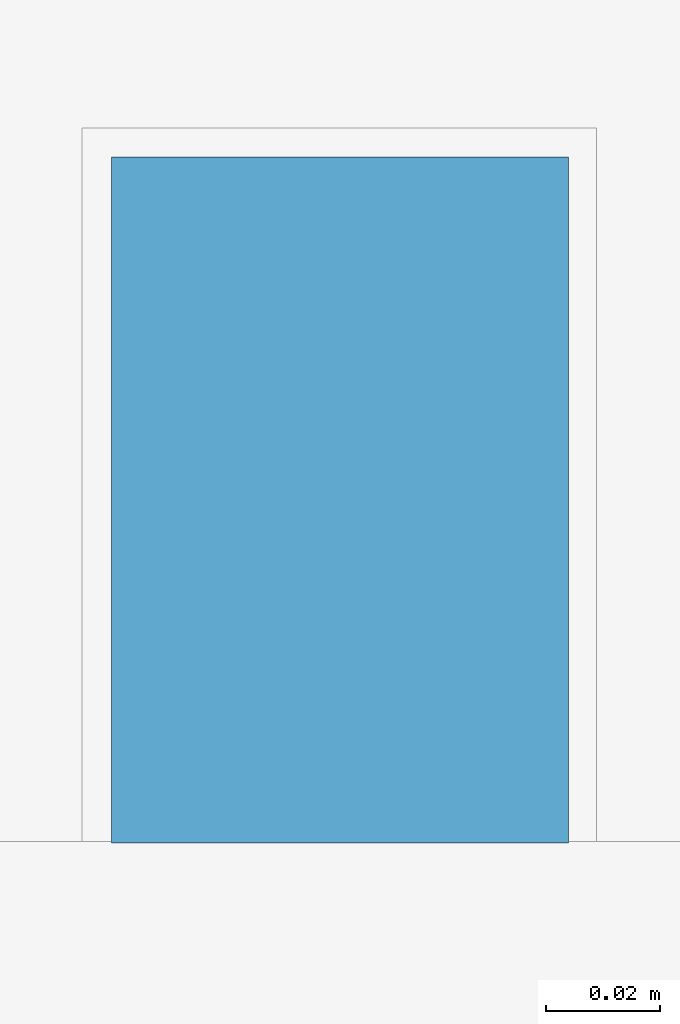
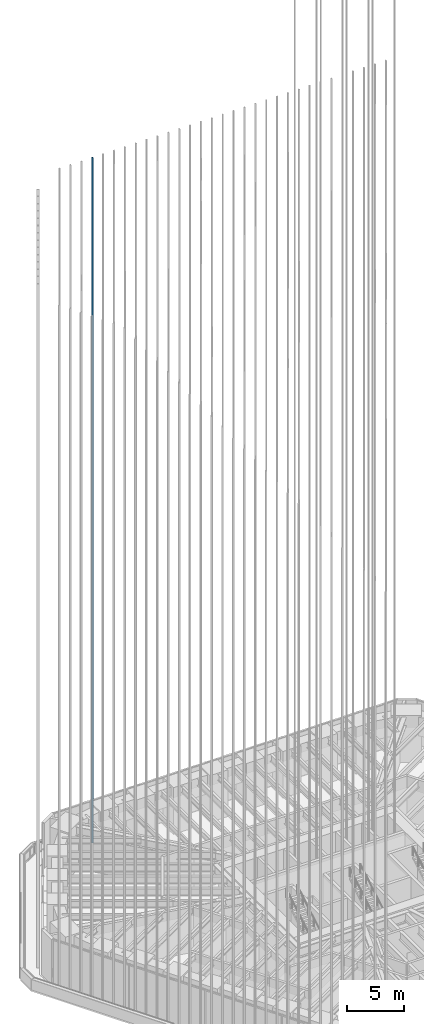
# One storey, part 158 of 228: 1 member, 1 element without a shape of its own.
"""IFC4 building model written with IfcOpenShell, lengths in metres."""

from ifc_helpers import new_model, si_unit, direction, frame, origin, origin_2d, place, context, subcontext, project, spatial, rectangle, extrude, material, material_profile, profile_set, type_object, element, aggregate, save


model = new_model("IFC4")

# Units and contexts
model_context = context("Model", 3, precision=1e-05, world=origin(), true_north=direction((0.0, 1.0)))
body_context = subcontext(model_context, "Body", "Model", "MODEL_VIEW")
ifc_project = project(units=[si_unit("LENGTHUNIT", "METRE"), si_unit("AREAUNIT", "SQUARE_METRE"), si_unit("VOLUMEUNIT", "CUBIC_METRE"), si_unit("PLANEANGLEUNIT", "RADIAN"), si_unit("MASSUNIT", "GRAM", prefix="KILO")], contexts=[model_context])

# Site, building, storey
site_placement = place(None, origin())
site = spatial("IfcSite", under=ifc_project, at=site_placement, CompositionType="ELEMENT")
building_placement = place(site_placement, origin())
building = spatial("IfcBuilding", under=site, at=building_placement, Name="Sandreach Pilgrim Tower", CompositionType="ELEMENT")
storey_placement = place(building_placement, frame((0.0, 0.0, 178.199951171875)))
storey = spatial("IfcBuildingStorey", under=building, at=storey_placement, Name="L44", CompositionType="ELEMENT", Elevation=178.199951171875)

# Curtain wall, member
ifc_material_1 = material(Name="Aluminium framed curtain wall", Category="aluminium")
curtain_wall_type = type_object("IfcCurtainWallType", Name="Upper hotel tower curtain wall", PredefinedType="NOTDEFINED", material=ifc_material_1)
curtain_wall_placement = place(storey_placement, origin())
curtain_wall = element("IfcCurtainWall", 1, at=curtain_wall_placement, inside=storey, type_object=curtain_wall_type, Name="CW-3 L44 N", PredefinedType="NOTDEFINED")
ifc_material_2 = material(Name="Extruded terracotta on aluminium core", Category="masonry")
ifc_material_profile = material_profile(ifc_material_2, rectangle(XDim=0.080078125, YDim=0.1201171875, at=origin_2d()), Name="TBN 80X120")
ifc_profile_set = profile_set([ifc_material_profile], Name="Extruded terracotta on aluminium core")
member_type = type_object("IfcMemberType", Name="Terracotta baguette north", PredefinedType="USERDEFINED", material=ifc_profile_set)
member_placement = place(storey_placement, frame((-13.1982421875, 21.52001953125, 0.0), z_axis=(0.0, 0.0, 1.0), x_axis=(1.0, 0.0, 0.0)))
member = element("IfcMember", 2, at=member_placement, type_object=member_type, Name="Baguette Z3 N04", ObjectType="BAGUETTE", PredefinedType="USERDEFINED", context=body_context, shape_type="SweptSolid", body=[
    extrude(rectangle(XDim=0.080078125, YDim=0.1201171875, at=origin_2d()), origin(), (0.0, 0.0, 1.0), 73.239990234375),
])
aggregate(curtain_wall, [member])

save(model, "model.ifc")
